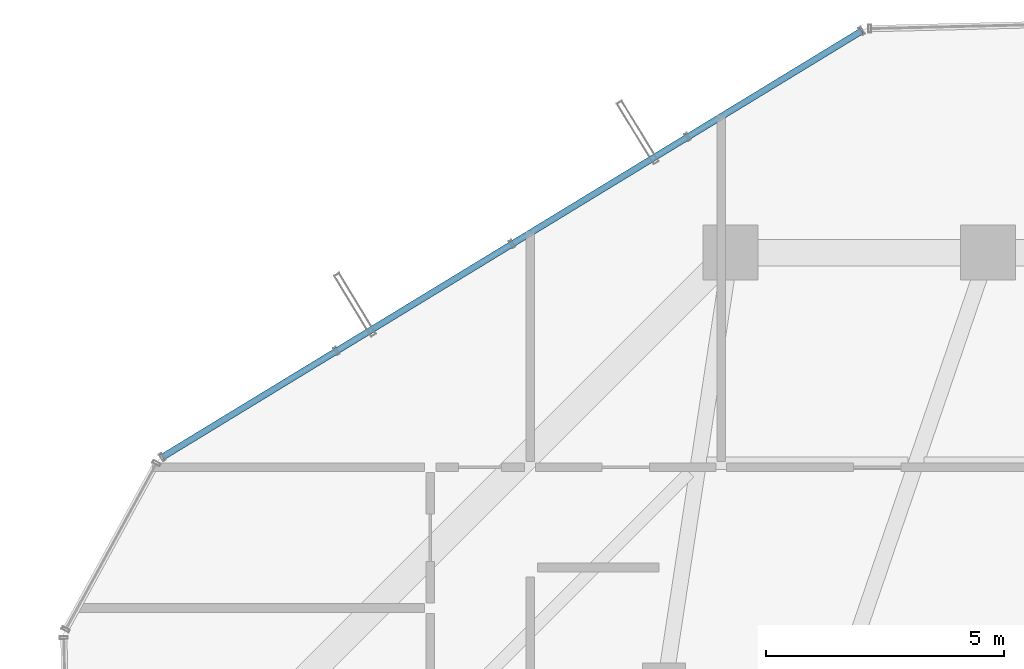
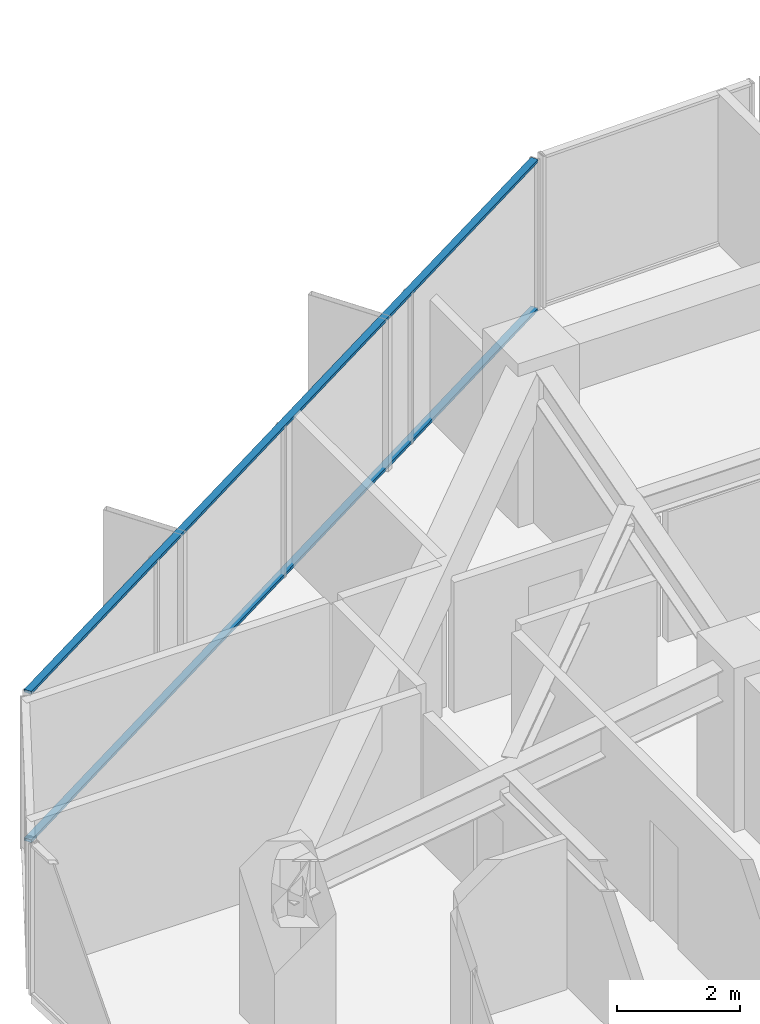
# One storey, part 18 of 31: 2 members, 1 element without a shape of its own.
"""IFC4 building model written with IfcOpenShell, lengths in metres."""

from ifc_helpers import new_model, si_unit, direction, frame, origin, origin_2d, place, context, subcontext, project, spatial, hollow_rectangle, extrude, source, transform, mapped, material, layer, layer_set, material_profile, profile_set, type_object, element, aggregate, save


model = new_model("IFC4")

# Units and contexts
model_context = context("Model", 3, precision=1e-05, world=origin(), true_north=direction((0.0, 1.0)))
body_context = subcontext(model_context, "Body", "Model", "MODEL_VIEW")
ifc_project = project(units=[si_unit("LENGTHUNIT", "METRE"), si_unit("AREAUNIT", "SQUARE_METRE"), si_unit("VOLUMEUNIT", "CUBIC_METRE"), si_unit("PLANEANGLEUNIT", "RADIAN"), si_unit("MASSUNIT", "GRAM", prefix="KILO")], contexts=[model_context])

# Site, building, storey
site_placement = place(None, origin())
site = spatial("IfcSite", under=ifc_project, at=site_placement, CompositionType="ELEMENT")
building_placement = place(site_placement, origin())
building = spatial("IfcBuilding", under=site, at=building_placement, Name="Veraguas Prism Commons", CompositionType="ELEMENT")
storey_placement = place(building_placement, frame((0.0, 0.0, 132.75)))
storey = spatial("IfcBuildingStorey", under=building, at=storey_placement, Name="L37", CompositionType="ELEMENT", Elevation=132.75)

# Curtain wall, members
ifc_material = material(Name="Anodised aluminium EN AW-6063 T6", Category="aluminium")
ifc_layer = layer(ifc_material, 0.169921875, Name="Unitised Flush Curtain Wall Zone 2", Category="aluminium")
ifc_layer_set = layer_set([ifc_layer], Name="Anodised aluminium EN AW-6063 T6")
curtain_wall_type = type_object("IfcCurtainWallType", Name="Unitised Flush Curtain Wall Zone 2", PredefinedType="NOTDEFINED", material=ifc_layer_set)
curtain_wall_placement = place(storey_placement, origin())
curtain_wall = element("IfcCurtainWall", 1, at=curtain_wall_placement, inside=storey, type_object=curtain_wall_type, Name="Tower Facade Curtain Wall L37-F2", PredefinedType="NOTDEFINED")
ifc_material_profile = material_profile(ifc_material, hollow_rectangle(XDim=0.054931640625, YDim=0.135009765625, WallThickness=0.0029296875, at=origin_2d()), Name="AL55X135X3")
ifc_profile_set = profile_set([ifc_material_profile], Name="Anodised aluminium EN AW-6063 T6")
member_type = type_object("IfcMemberType", Name="Curtain Wall Transom Standard AL 55x135x3", PredefinedType="USERDEFINED", material=ifc_profile_set)
shared_shape = source(origin(), body_context, "Body", "SweptSolid", [
    extrude(hollow_rectangle(XDim=0.054931640625, YDim=0.135009765625, WallThickness=0.0029296875, at=origin_2d()), origin(), (0.0, 0.0, 1.0), 17.174560546875),
])
member_1_placement = place(storey_placement, frame((21.35009765625, 44.84912109375, 0.027587890625), z_axis=(-0.853920364837, -0.520403699561, 0.0), x_axis=(0.0, 0.0, 1.0)))
member_1 = element("IfcMember", 2, at=member_1_placement, type_object=member_type, Name="CW-Z2 Transom 1", ObjectType="TRANSOM", PredefinedType="USERDEFINED", context=body_context, shape_type="MappedRepresentation", body=[
    mapped(shared_shape, transform((0.0, 0.0, 0.0), scale=1.0)),
])
member_2_placement = place(storey_placement, frame((21.35009765625, 44.84912109375, 2.972412109375), z_axis=(-0.853920364837, -0.520403699561, 0.0), x_axis=(0.0, 0.0, 1.0)))
member_2 = element("IfcMember", 3, at=member_2_placement, type_object=member_type, Name="CW-Z2 Transom 2", ObjectType="TRANSOM", PredefinedType="USERDEFINED", context=body_context, shape_type="MappedRepresentation", body=[
    mapped(shared_shape, transform((0.0, 0.0, 0.0), scale=1.0)),
])
aggregate(curtain_wall, [member_1, member_2])

save(model, "model.ifc")
